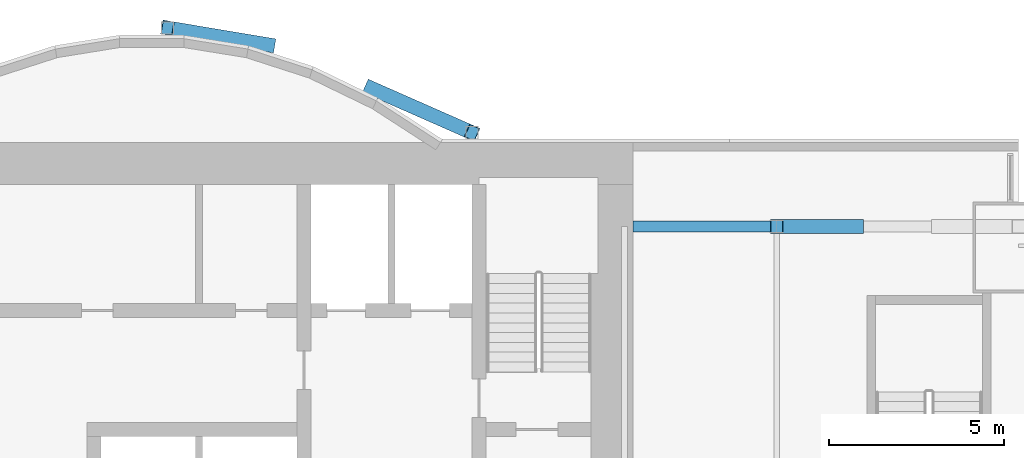
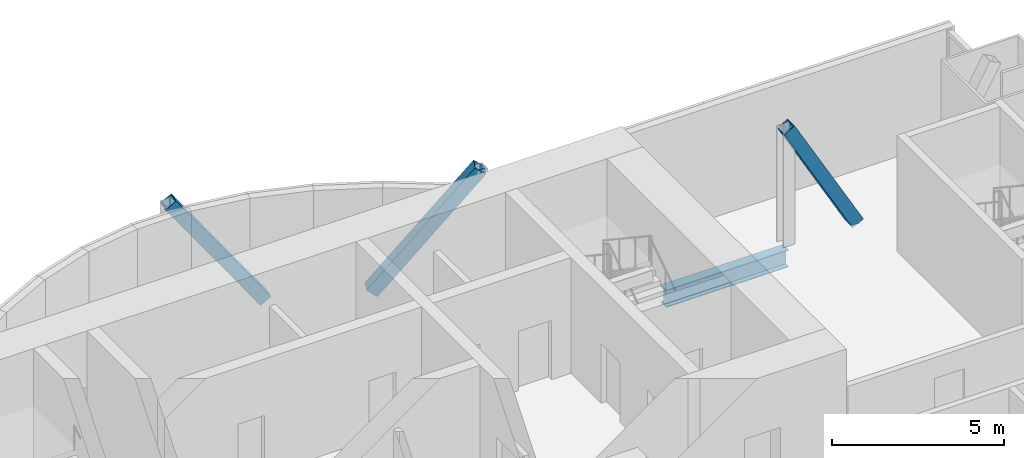
# One storey, part 12 of 22: 3 members, 1 beam.
"""IFC4 building model written with IfcOpenShell, lengths in metres."""

from ifc_helpers import new_model, si_unit, direction, frame, origin, origin_2d, place, context, subcontext, project, spatial, hollow_rectangle, i_section, extrude, material, material_profile, profile_set, type_object, element, save


model = new_model("IFC4")

# Units and contexts
model_context = context("Model", 3, precision=1e-05, world=origin(), true_north=direction((0.0, 1.0)))
body_context = subcontext(model_context, "Body", "Model", "MODEL_VIEW")
ifc_project = project(units=[si_unit("LENGTHUNIT", "METRE"), si_unit("AREAUNIT", "SQUARE_METRE"), si_unit("VOLUMEUNIT", "CUBIC_METRE"), si_unit("PLANEANGLEUNIT", "RADIAN"), si_unit("MASSUNIT", "GRAM", prefix="KILO")], contexts=[model_context])

# Site, building, storey
site_placement = place(None, origin())
site = spatial("IfcSite", under=ifc_project, at=site_placement, CompositionType="ELEMENT")
building_placement = place(site_placement, origin())
building = spatial("IfcBuilding", under=site, at=building_placement, Name="Bicima Exchange Tower", CompositionType="ELEMENT")
storey_placement = place(building_placement, frame((0.0, 0.0, 148.60009765625)))
storey = spatial("IfcBuildingStorey", under=building, at=storey_placement, Name="L32", CompositionType="ELEMENT", Elevation=148.60009765625)

# Members
ifc_material_1 = material(Name="Steel ASTM A572 Gr 50", Category="steel")
ifc_material_profile_1 = material_profile(ifc_material_1, hollow_rectangle(XDim=0.406494140625, YDim=0.406494140625, WallThickness=0.017822265625, at=origin_2d()))
ifc_profile_set_1 = profile_set([ifc_material_profile_1], Name="Steel ASTM A572 Gr 50")
member_type = type_object("IfcMemberType", Name="Mega brace HSS16x16x3/4", PredefinedType="BRACE", material=ifc_profile_set_1)
member_1_placement = place(storey_placement, frame((14.5, 1.55615234375, 0.0), z_axis=(0.559625363617, -0.246644113364, 0.79119285496), x_axis=(0.403298774981, 0.915068357063, 0.0)))
element("IfcMember", 1, at=member_1_placement, inside=storey, type_object=member_type, Name="Mega brace rexo", PredefinedType="BRACE", context=body_context, shape_type="SweptSolid", body=[
    extrude(hollow_rectangle(XDim=0.406494140625, YDim=0.406494140625, WallThickness=0.017822265625, at=origin_2d()), origin(), (0.0, 0.0, 1.0), 5.181884765625),
])
member_2_placement = place(storey_placement, frame((11.60009765625, 2.783203125, 0.0), z_axis=(-0.57481422557, 0.09629432687, 0.812598307096), x_axis=(-0.165220206918, -0.9862567025, 0.0)))
element("IfcMember", 2, at=member_2_placement, inside=storey, type_object=member_type, Name="Mega brace rexo", PredefinedType="BRACE", context=body_context, shape_type="SweptSolid", body=[
    extrude(hollow_rectangle(XDim=0.406494140625, YDim=0.406494140625, WallThickness=0.017822265625, at=origin_2d()), origin(), (0.0, 0.0, 1.0), 5.04541015625),
])
member_3_placement = place(storey_placement, frame((28.39990234375, -2.39990234375, 0.0), z_axis=(-0.48923266749, 0.0, 0.872153310526), x_axis=(0.0, -1.0, 0.0)))
element("IfcMember", 3, at=member_3_placement, inside=storey, type_object=member_type, Name="Mega brace rear", PredefinedType="BRACE", context=body_context, shape_type="SweptSolid", body=[
    extrude(hollow_rectangle(XDim=0.406494140625, YDim=0.406494140625, WallThickness=0.017822265625, at=origin_2d()), origin(), (0.0, 0.0, 1.0), 4.700927734375),
])

# Beam
ifc_material_2 = material(Name="Steel ASTM A992 Gr 50", Category="steel")
ifc_material_profile_2 = material_profile(ifc_material_2, i_section(OverallWidth=0.3251953125, OverallDepth=0.612060546875, WebThickness=0.0126953125, FlangeThickness=0.01904296875, at=origin_2d()))
ifc_profile_set_2 = profile_set([ifc_material_profile_2], Name="Steel ASTM A992 Gr 50")
beam_type = type_object("IfcBeamType", Name="Rear girder W24x104", PredefinedType="BEAM", material=ifc_profile_set_2)
beam_placement = place(storey_placement, frame((22.0, -2.39990234375, -0.456298828125), z_axis=(1.0, 0.0, 0.0), x_axis=(0.0, 1.0, 0.0)))
element("IfcBeam", 4, at=beam_placement, inside=storey, type_object=beam_type, Name="Rear girder", PredefinedType="BEAM", context=body_context, shape_type="SweptSolid", body=[
    extrude(i_section(OverallWidth=0.3251953125, OverallDepth=0.612060546875, WebThickness=0.0126953125, FlangeThickness=0.01904296875, at=origin_2d()), origin(), (0.0, 0.0, 1.0), 4.10009765625),
])

save(model, "model.ifc")
